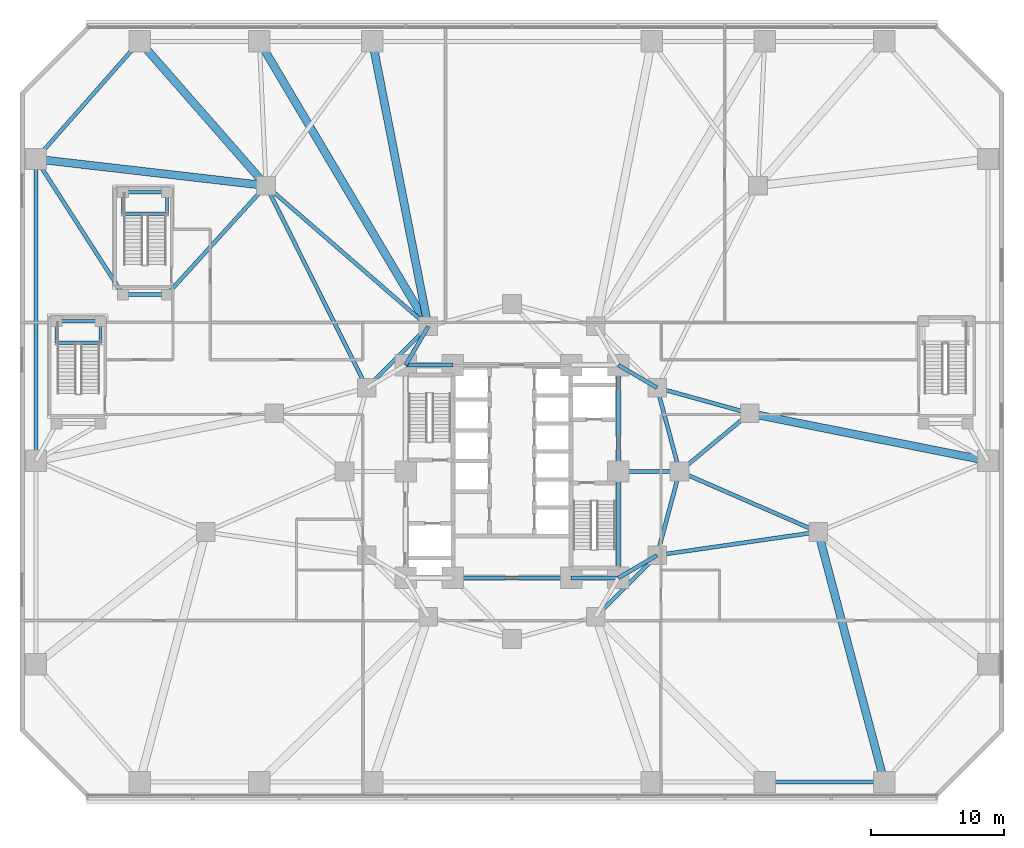
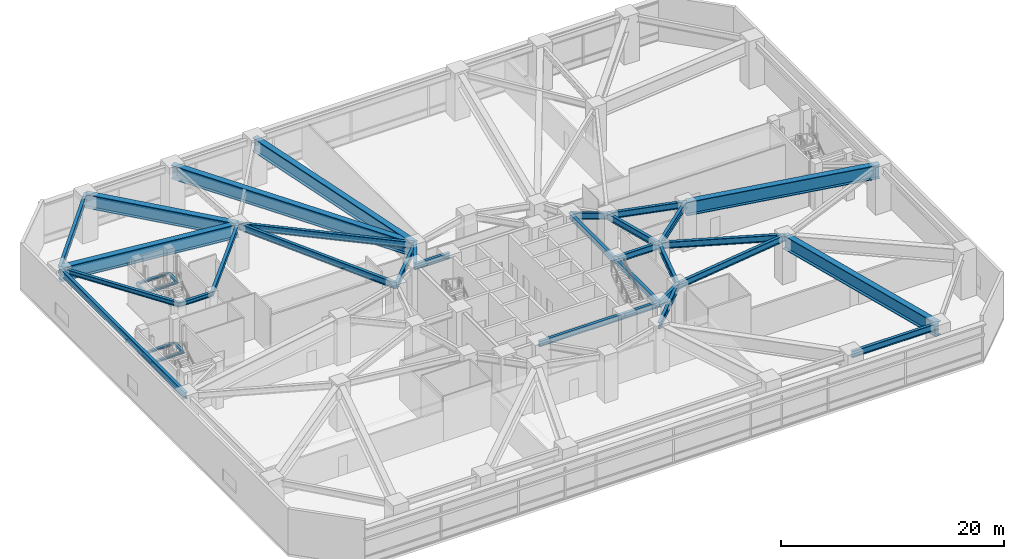
# One storey, part 8 of 27: 39 beams.
"""IFC4 building model written with IfcOpenShell, lengths in metres."""

from ifc_helpers import new_model, si_unit, direction, frame, origin, origin_2d, place, context, subcontext, project, spatial, i_section, extrude, material, material_profile, profile_set, type_object, element, save


model = new_model("IFC4")

# Units and contexts
model_context = context("Model", 3, precision=1e-05, world=origin(), true_north=direction((0.0, 1.0)))
body_context = subcontext(model_context, "Body", "Model", "MODEL_VIEW")
ifc_project = project(units=[si_unit("LENGTHUNIT", "METRE"), si_unit("AREAUNIT", "SQUARE_METRE"), si_unit("VOLUMEUNIT", "CUBIC_METRE"), si_unit("PLANEANGLEUNIT", "RADIAN"), si_unit("MASSUNIT", "GRAM", prefix="KILO")], contexts=[model_context])

# Site, building, storey
site_placement = place(None, origin())
site = spatial("IfcSite", under=ifc_project, at=site_placement, CompositionType="ELEMENT")
building_placement = place(site_placement, origin())
building = spatial("IfcBuilding", under=site, at=building_placement, Name="Terralouvre Media Tower", CompositionType="ELEMENT")
storey_placement = place(building_placement, frame((0.0, 0.0, 5.199951171875)))
storey = spatial("IfcBuildingStorey", under=building, at=storey_placement, Name="L01", CompositionType="ELEMENT", Elevation=5.199951171875)

# Beams
ifc_material_1 = material(Name="Structural steel S355J2", Category="steel")
ifc_material_profile_1 = material_profile(ifc_material_1, i_section(OverallWidth=0.239990234375, OverallDepth=0.239990234375, WebThickness=0.010009765625, FlangeThickness=0.01708984375, at=origin_2d()), Name="HEB 240")
ifc_profile_set_1 = profile_set([ifc_material_profile_1], Name="Structural steel S355J2")
beam_type_1 = type_object("IfcBeamType", Name="Opening Lintel Beam LN-240H (HEB 240)", PredefinedType="LINTEL", material=ifc_profile_set_1)
for number, where, z_axis, x_axis, name in (
    (1, (-34.25, 9.679931640625, 2.280029296875), (0.0, 1.0, 0.0), (-1.0, 0.0, 0.0), "L01 ST-03 Intermediate Landing Support Beam 1W"),
    (2, (-30.949951171875, 9.679931640625, 2.280029296875), (0.0, 1.0, 0.0), (-1.0, 0.0, 0.0), "L01 ST-03 Intermediate Landing Support Beam 1E"),
):
    element("IfcBeam", number, at=place(storey_placement, frame(where, z_axis=z_axis, x_axis=x_axis)), inside=storey, type_object=beam_type_1, Name=name, PredefinedType="LINTEL", context=body_context, shape_type="SweptSolid", body=[
        extrude(i_section(OverallWidth=0.239990234375, OverallDepth=0.239990234375, WebThickness=0.010009765625, FlangeThickness=0.01708984375, at=origin_2d()), origin(), (0.0, 0.0, 1.0), 1.6201171875),
    ])
for number, where, z_axis, x_axis, name in (
    (3, (-34.25, 9.679931640625, 2.280029296875), (1.0, 0.0, 0.0), (0.0, 1.0, 0.0), "L01 ST-03 Intermediate Landing Support Beam 1S"),
    (4, (-34.25, 11.300048828125, 2.280029296875), (1.0, 0.0, 0.0), (0.0, 1.0, 0.0), "L01 ST-03 Intermediate Landing Support Beam 1X"),
):
    element("IfcBeam", number, at=place(storey_placement, frame(where, z_axis=z_axis, x_axis=x_axis)), inside=storey, type_object=beam_type_1, Name=name, PredefinedType="LINTEL", context=body_context, shape_type="SweptSolid", body=[
        extrude(i_section(OverallWidth=0.239990234375, OverallDepth=0.239990234375, WebThickness=0.010009765625, FlangeThickness=0.01708984375, at=origin_2d()), origin(), (0.0, 0.0, 1.0), 3.300048828125),
    ])
for number, where, z_axis, x_axis, name in (
    (5, (-29.25, 19.3798828125, 2.280029296875), (0.0, 1.0, 0.0), (-1.0, 0.0, 0.0), "L01 ST-06 Intermediate Landing Support Beam 1W"),
    (6, (-25.949951171875, 19.3798828125, 2.280029296875), (0.0, 1.0, 0.0), (-1.0, 0.0, 0.0), "L01 ST-06 Intermediate Landing Support Beam 1E"),
):
    element("IfcBeam", number, at=place(storey_placement, frame(where, z_axis=z_axis, x_axis=x_axis)), inside=storey, type_object=beam_type_1, Name=name, PredefinedType="LINTEL", context=body_context, shape_type="SweptSolid", body=[
        extrude(i_section(OverallWidth=0.239990234375, OverallDepth=0.239990234375, WebThickness=0.010009765625, FlangeThickness=0.01708984375, at=origin_2d()), origin(), (0.0, 0.0, 1.0), 1.6201171875),
    ])
for number, where, z_axis, x_axis, name in (
    (7, (-29.25, 19.3798828125, 2.280029296875), (1.0, 0.0, 0.0), (0.0, 1.0, 0.0), "L01 ST-06 Intermediate Landing Support Beam 1S"),
    (8, (-29.25, 21.0, 2.280029296875), (1.0, 0.0, 0.0), (0.0, 1.0, 0.0), "L01 ST-06 Intermediate Landing Support Beam 1X"),
):
    element("IfcBeam", number, at=place(storey_placement, frame(where, z_axis=z_axis, x_axis=x_axis)), inside=storey, type_object=beam_type_1, Name=name, PredefinedType="LINTEL", context=body_context, shape_type="SweptSolid", body=[
        extrude(i_section(OverallWidth=0.239990234375, OverallDepth=0.239990234375, WebThickness=0.010009765625, FlangeThickness=0.01708984375, at=origin_2d()), origin(), (0.0, 0.0, 1.0), 3.300048828125),
    ])
ifc_material_2 = material(Name="Structural steel S355J2", Category="steel")
ifc_material_profile_2 = material_profile(ifc_material_2, i_section(OverallWidth=0.300048828125, OverallDepth=0.449951171875, WebThickness=0.013916015625, FlangeThickness=0.02587890625, at=origin_2d()), Name="HEB 450")
ifc_profile_set_2 = profile_set([ifc_material_profile_2], Name="Structural steel S355J2")
beam_type_2 = type_object("IfcBeamType", Name="Primary Floor Girder B-HEB450 (HEB 450)", PredefinedType="BEAM", material=ifc_profile_set_2)
beam_1_placement = place(storey_placement, frame((-29.25, 13.300048828125, 4.72509765625), z_axis=(1.0, 0.0, 0.0), x_axis=(0.0, 1.0, 0.0)))
element("IfcBeam", 9, at=beam_1_placement, inside=storey, type_object=beam_type_2, Name="L01 Framing Beam BM-L01-PVST61", PredefinedType="BEAM", context=body_context, shape_type="SweptSolid", body=[
    extrude(i_section(OverallWidth=0.300048828125, OverallDepth=0.449951171875, WebThickness=0.013916015625, FlangeThickness=0.02587890625, at=origin_2d()), origin(), (0.0, 0.0, 1.0), 3.300048828125),
])
ifc_material_3 = material(Name="Structural steel S355J2", Category="steel")
ifc_material_profile_3 = material_profile(ifc_material_3, i_section(OverallWidth=0.300048828125, OverallDepth=0.5, WebThickness=0.014404296875, FlangeThickness=0.028076171875, at=origin_2d()), Name="HEB 500")
ifc_profile_set_3 = profile_set([ifc_material_profile_3], Name="Structural steel S355J2")
beam_type_3 = type_object("IfcBeamType", Name="Primary Floor Girder B-HEB500 (HEB 500)", PredefinedType="BEAM", material=ifc_profile_set_3)
beam_2_placement = place(storey_placement, frame((-29.25, 13.300048828125, 4.699951171875), z_axis=(-0.540345267359, 0.841443398003, 0.0), x_axis=(-0.841443398003, -0.540345267359, 0.0)))
element("IfcBeam", 10, at=beam_2_placement, inside=storey, type_object=beam_type_3, Name="L01 Framing Beam BM-L01-PVTST61", PredefinedType="BEAM", context=body_context, shape_type="SweptSolid", body=[
    extrude(i_section(OverallWidth=0.300048828125, OverallDepth=0.5, WebThickness=0.014404296875, FlangeThickness=0.028076171875, at=origin_2d()), origin(), (0.0, 0.0, 1.0), 12.1220703125),
])
beam_3_placement = place(storey_placement, frame((-25.949951171875, 13.300048828125, 4.699951171875), z_axis=(0.672447909493, 0.740144451454, 0.0), x_axis=(-0.740144451454, 0.672447909493, 0.0)))
element("IfcBeam", 11, at=beam_3_placement, inside=storey, type_object=beam_type_3, Name="L01 Framing Beam BM-L01-PVTST62", PredefinedType="BEAM", context=body_context, shape_type="SweptSolid", body=[
    extrude(i_section(OverallWidth=0.300048828125, OverallDepth=0.5, WebThickness=0.014404296875, FlangeThickness=0.028076171875, at=origin_2d()), origin(), (0.0, 0.0, 1.0), 11.078857421875),
])
ifc_material_4 = material(Name="Structural steel S460M", Category="steel")
ifc_material_profile_4 = material_profile(ifc_material_4, i_section(OverallWidth=0.300048828125, OverallDepth=0.60009765625, WebThickness=0.015380859375, FlangeThickness=0.030029296875, at=origin_2d()), Name="HEB 600")
ifc_profile_set_4 = profile_set([ifc_material_profile_4], Name="Structural steel S460M")
beam_type_4 = type_object("IfcBeamType", Name="Primary Floor Girder B-HEB600 (HEB 600)", PredefinedType="BEAM", material=ifc_profile_set_4)
beam_4_placement = place(storey_placement, frame((-4.449951171875, -8.0, 4.650146484375), z_axis=(1.0, 0.0, 0.0), x_axis=(0.0, 1.0, 0.0)))
element("IfcBeam", 12, at=beam_4_placement, inside=storey, type_object=beam_type_4, Name="L01 Framing Beam BM-L01-CPR02", PredefinedType="BEAM", context=body_context, shape_type="SweptSolid", body=[
    extrude(i_section(OverallWidth=0.300048828125, OverallDepth=0.60009765625, WebThickness=0.015380859375, FlangeThickness=0.030029296875, at=origin_2d()), origin(), (0.0, 0.0, 1.0), 8.89990234375),
])
beam_5_placement = place(storey_placement, frame((4.449951171875, -8.0, 4.650146484375), z_axis=(1.0, 0.0, 0.0), x_axis=(0.0, 1.0, 0.0)))
element("IfcBeam", 13, at=beam_5_placement, inside=storey, type_object=beam_type_4, Name="L01 Framing Beam BM-L01-CPR03", PredefinedType="BEAM", context=body_context, shape_type="SweptSolid", body=[
    extrude(i_section(OverallWidth=0.300048828125, OverallDepth=0.60009765625, WebThickness=0.015380859375, FlangeThickness=0.030029296875, at=origin_2d()), origin(), (0.0, 0.0, 1.0), 3.550048828125),
])
for number, where, z_axis, x_axis, name in (
    (14, (8.0, -8.0, 4.650146484375), (0.0, 1.0, 0.0), (-1.0, 0.0, 0.0), "L01 Framing Beam BM-L01-CPR04"),
    (15, (8.0, 0.0, 4.650146484375), (0.0, 1.0, 0.0), (-1.0, 0.0, 0.0), "L01 Framing Beam BM-L01-CPR05"),
):
    element("IfcBeam", number, at=place(storey_placement, frame(where, z_axis=z_axis, x_axis=x_axis)), inside=storey, type_object=beam_type_4, Name=name, PredefinedType="BEAM", context=body_context, shape_type="SweptSolid", body=[
        extrude(i_section(OverallWidth=0.300048828125, OverallDepth=0.60009765625, WebThickness=0.015380859375, FlangeThickness=0.030029296875, at=origin_2d()), origin(), (0.0, 0.0, 1.0), 8.0),
    ])
beam_6_placement = place(storey_placement, frame((-4.449951171875, 8.0, 4.650146484375), z_axis=(-1.0, 0.0, 0.0), x_axis=(0.0, -1.0, 0.0)))
element("IfcBeam", 16, at=beam_6_placement, inside=storey, type_object=beam_type_4, Name="L01 Framing Beam BM-L01-CPR08", PredefinedType="BEAM", context=body_context, shape_type="SweptSolid", body=[
    extrude(i_section(OverallWidth=0.300048828125, OverallDepth=0.60009765625, WebThickness=0.015380859375, FlangeThickness=0.030029296875, at=origin_2d()), origin(), (0.0, 0.0, 1.0), 3.550048828125),
])
ifc_material_5 = material(Name="Structural steel S460M", Category="steel")
ifc_material_profile_5 = material_profile(ifc_material_5, i_section(OverallWidth=0.300048828125, OverallDepth=0.699951171875, WebThickness=0.01708984375, FlangeThickness=0.031982421875, at=origin_2d()), Name="HEB 700")
ifc_profile_set_5 = profile_set([ifc_material_profile_5], Name="Structural steel S460M")
beam_type_5 = type_object("IfcBeamType", Name="Primary Floor Girder B-HEB700 (HEB 700)", PredefinedType="BEAM", material=ifc_profile_set_5)
beam_7_placement = place(storey_placement, frame((6.300048828125, -10.911865234375, 4.60009765625), z_axis=(0.707106781187, 0.707106781187, 0.0), x_axis=(-0.707106781187, 0.707106781187, 0.0)))
element("IfcBeam", 17, at=beam_7_placement, inside=storey, type_object=beam_type_5, Name="L01 Framing Beam BM-L01-MR04", PredefinedType="BEAM", context=body_context, shape_type="SweptSolid", body=[
    extrude(i_section(OverallWidth=0.300048828125, OverallDepth=0.699951171875, WebThickness=0.01708984375, FlangeThickness=0.031982421875, at=origin_2d()), origin(), (0.0, 0.0, 1.0), 6.52197265625),
])
for number, where, z_axis, x_axis, name in (
    (18, (10.911865234375, -6.300048828125, 4.60009765625), (0.258838989821, 0.965920481897, 0.0), (-0.965920481897, 0.258838989821, 0.0), "L01 Framing Beam BM-L01-MR05"),
    (19, (12.60009765625, 0.0, 4.60009765625), (-0.258838989821, 0.965920481897, 0.0), (-0.965920481897, -0.258838989821, 0.0), "L01 Framing Beam BM-L01-MR06"),
):
    element("IfcBeam", number, at=place(storey_placement, frame(where, z_axis=z_axis, x_axis=x_axis)), inside=storey, type_object=beam_type_5, Name=name, PredefinedType="BEAM", context=body_context, shape_type="SweptSolid", body=[
        extrude(i_section(OverallWidth=0.300048828125, OverallDepth=0.699951171875, WebThickness=0.01708984375, FlangeThickness=0.031982421875, at=origin_2d()), origin(), (0.0, 0.0, 1.0), 6.522216796875),
    ])
beam_8_placement = place(storey_placement, frame((-6.300048828125, 10.911865234375, 4.60009765625), z_axis=(-0.707106781187, -0.707106781187, 0.0), x_axis=(0.707106781187, -0.707106781187, 0.0)))
element("IfcBeam", 20, at=beam_8_placement, inside=storey, type_object=beam_type_5, Name="L01 Framing Beam BM-L01-MR10", PredefinedType="BEAM", context=body_context, shape_type="SweptSolid", body=[
    extrude(i_section(OverallWidth=0.300048828125, OverallDepth=0.699951171875, WebThickness=0.01708984375, FlangeThickness=0.031982421875, at=origin_2d()), origin(), (0.0, 0.0, 1.0), 6.52197265625),
])
beam_9_placement = place(storey_placement, frame((8.0, -8.0, 4.60009765625), z_axis=(0.863602894532, 0.504172629717, 0.0), x_axis=(-0.504172629717, 0.863602894532, 0.0)))
element("IfcBeam", 21, at=beam_9_placement, inside=storey, type_object=beam_type_5, Name="L01 Framing Beam BM-L01-CM05", PredefinedType="BEAM", context=body_context, shape_type="SweptSolid", body=[
    extrude(i_section(OverallWidth=0.300048828125, OverallDepth=0.699951171875, WebThickness=0.01708984375, FlangeThickness=0.031982421875, at=origin_2d()), origin(), (0.0, 0.0, 1.0), 3.371826171875),
])
beam_10_placement = place(storey_placement, frame((8.0, 0.0, 4.60009765625), z_axis=(1.0, 0.0, 0.0), x_axis=(0.0, 1.0, 0.0)))
element("IfcBeam", 22, at=beam_10_placement, inside=storey, type_object=beam_type_5, Name="L01 Framing Beam BM-L01-CM06", PredefinedType="BEAM", context=body_context, shape_type="SweptSolid", body=[
    extrude(i_section(OverallWidth=0.300048828125, OverallDepth=0.699951171875, WebThickness=0.01708984375, FlangeThickness=0.031982421875, at=origin_2d()), origin(), (0.0, 0.0, 1.0), 4.60009765625),
])
for number, where, z_axis, x_axis, name in (
    (23, (8.0, 8.0, 4.60009765625), (0.863602894532, -0.504172629717, 0.0), (0.504172629717, 0.863602894532, 0.0), "L01 Framing Beam BM-L01-CM07"),
    (24, (-8.0, 8.0, 4.60009765625), (0.504172629717, 0.863602894532, 0.0), (-0.863602894532, 0.504172629717, 0.0), "L01 Framing Beam BM-L01-CM10"),
):
    element("IfcBeam", number, at=place(storey_placement, frame(where, z_axis=z_axis, x_axis=x_axis)), inside=storey, type_object=beam_type_5, Name=name, PredefinedType="BEAM", context=body_context, shape_type="SweptSolid", body=[
        extrude(i_section(OverallWidth=0.300048828125, OverallDepth=0.699951171875, WebThickness=0.01708984375, FlangeThickness=0.031982421875, at=origin_2d()), origin(), (0.0, 0.0, 1.0), 3.371826171875),
    ])
beam_11_placement = place(storey_placement, frame((-6.300048828125, 10.911865234375, 4.60009765625), z_axis=(-0.755234116228, 0.65545513171, 0.0), x_axis=(-0.65545513171, -0.755234116228, 0.0)))
element("IfcBeam", 25, at=beam_11_placement, inside=storey, type_object=beam_type_5, Name="L01 Framing Beam BM-L01-PM19M1", PredefinedType="BEAM", context=body_context, shape_type="SweptSolid", body=[
    extrude(i_section(OverallWidth=0.300048828125, OverallDepth=0.699951171875, WebThickness=0.01708984375, FlangeThickness=0.031982421875, at=origin_2d()), origin(), (0.0, 0.0, 1.0), 16.15380859375),
])
beam_12_placement = place(storey_placement, frame((-10.911865234375, 6.300048828125, 4.60009765625), z_axis=(-0.446655925193, 0.894705808906, 0.0), x_axis=(-0.894705808906, -0.446655925193, 0.0)))
element("IfcBeam", 26, at=beam_12_placement, inside=storey, type_object=beam_type_5, Name="L01 Framing Beam BM-L01-PM19M2", PredefinedType="BEAM", context=body_context, shape_type="SweptSolid", body=[
    extrude(i_section(OverallWidth=0.300048828125, OverallDepth=0.699951171875, WebThickness=0.01708984375, FlangeThickness=0.031982421875, at=origin_2d()), origin(), (0.0, 0.0, 1.0), 16.98876953125),
])
beam_13_placement = place(storey_placement, frame((12.60009765625, 0.0, 4.60009765625), z_axis=(0.916615903868, -0.399769039291, 0.0), x_axis=(0.399769039291, 0.916615903868, 0.0)))
element("IfcBeam", 27, at=beam_13_placement, inside=storey, type_object=beam_type_5, Name="L01 Framing Beam BM-L01-PM21M1", PredefinedType="BEAM", context=body_context, shape_type="SweptSolid", body=[
    extrude(i_section(OverallWidth=0.300048828125, OverallDepth=0.699951171875, WebThickness=0.01708984375, FlangeThickness=0.031982421875, at=origin_2d()), origin(), (0.0, 0.0, 1.0), 11.373046875),
])
beam_14_placement = place(storey_placement, frame((10.911865234375, -6.300048828125, 4.60009765625), z_axis=(0.989684877742, 0.143261448996, 0.0), x_axis=(-0.143261448996, 0.989684877742, 0.0)))
element("IfcBeam", 28, at=beam_14_placement, inside=storey, type_object=beam_type_5, Name="L01 Framing Beam BM-L01-PM21M2", PredefinedType="BEAM", context=body_context, shape_type="SweptSolid", body=[
    extrude(i_section(OverallWidth=0.300048828125, OverallDepth=0.699951171875, WebThickness=0.01708984375, FlangeThickness=0.031982421875, at=origin_2d()), origin(), (0.0, 0.0, 1.0), 12.2392578125),
])
beam_15_placement = place(storey_placement, frame((12.60009765625, 0.0, 4.60009765625), z_axis=(0.769816459478, 0.638265320001, 0.0), x_axis=(-0.638265320001, 0.769816459478, 0.0)))
element("IfcBeam", 29, at=beam_15_placement, inside=storey, type_object=beam_type_5, Name="L01 Framing Beam BM-L01-PM22M1", PredefinedType="BEAM", context=body_context, shape_type="SweptSolid", body=[
    extrude(i_section(OverallWidth=0.300048828125, OverallDepth=0.699951171875, WebThickness=0.01708984375, FlangeThickness=0.031982421875, at=origin_2d()), origin(), (0.0, 0.0, 1.0), 6.851806640625),
])
beam_16_placement = place(storey_placement, frame((10.911865234375, 6.300048828125, 4.60009765625), z_axis=(0.963780816717, -0.266695589254, 0.0), x_axis=(0.266695589254, 0.963780816717, 0.0)))
element("IfcBeam", 30, at=beam_16_placement, inside=storey, type_object=beam_type_5, Name="L01 Framing Beam BM-L01-PM22M2", PredefinedType="BEAM", context=body_context, shape_type="SweptSolid", body=[
    extrude(i_section(OverallWidth=0.300048828125, OverallDepth=0.699951171875, WebThickness=0.01708984375, FlangeThickness=0.031982421875, at=origin_2d()), origin(), (0.0, 0.0, 1.0), 7.224609375),
])
beam_17_placement = place(storey_placement, frame((19.0, -23.35009765625, 4.60009765625), z_axis=(1.0, 0.0, 0.0), x_axis=(0.0, 1.0, 0.0)))
element("IfcBeam", 31, at=beam_17_placement, inside=storey, type_object=beam_type_5, Name="L01 Framing Beam BM-L01-PR06", PredefinedType="BEAM", context=body_context, shape_type="SweptSolid", body=[
    extrude(i_section(OverallWidth=0.300048828125, OverallDepth=0.699951171875, WebThickness=0.01708984375, FlangeThickness=0.031982421875, at=origin_2d()), origin(), (0.0, 0.0, 1.0), 9.0),
])
beam_18_placement = place(storey_placement, frame((-28.0, 32.35009765625, 4.60009765625), z_axis=(-0.661199207896, -0.75021037548, 0.0), x_axis=(0.75021037548, -0.661199207896, 0.0)))
element("IfcBeam", 32, at=beam_18_placement, inside=storey, type_object=beam_type_5, Name="L01 Framing Beam BM-L01-PR16", PredefinedType="BEAM", context=body_context, shape_type="SweptSolid", body=[
    extrude(i_section(OverallWidth=0.300048828125, OverallDepth=0.699951171875, WebThickness=0.01708984375, FlangeThickness=0.031982421875, at=origin_2d()), origin(), (0.0, 0.0, 1.0), 11.796875),
])
beam_19_placement = place(storey_placement, frame((-35.800048828125, 23.5, 4.60009765625), z_axis=(0.0, -1.0, 0.0), x_axis=(1.0, 0.0, 0.0)))
element("IfcBeam", 33, at=beam_19_placement, inside=storey, type_object=beam_type_5, Name="L01 Framing Beam BM-L01-PR17", PredefinedType="BEAM", context=body_context, shape_type="SweptSolid", body=[
    extrude(i_section(OverallWidth=0.300048828125, OverallDepth=0.699951171875, WebThickness=0.01708984375, FlangeThickness=0.031982421875, at=origin_2d()), origin(), (0.0, 0.0, 1.0), 22.699951171875),
])
ifc_material_6 = material(Name="Structural steel S460M", Category="steel")
ifc_material_profile_6 = material_profile(ifc_material_6, i_section(OverallWidth=0.60009765625, OverallDepth=1.5, WebThickness=0.033935546875, FlangeThickness=0.054931640625, at=origin_2d()), Name="PG 1500x600")
ifc_profile_set_6 = profile_set([ifc_material_profile_6], Name="Structural steel S460M")
beam_type_6 = type_object("IfcBeamType", Name="Primary Floor Girder B-PG1500 (PG 1500x600)", PredefinedType="BEAM", material=ifc_profile_set_6)
beam_20_placement = place(storey_placement, frame((23.02490234375, -4.546630859375, 4.199951171875), z_axis=(0.25578250381, -0.966734353762, 0.0), x_axis=(0.966734353762, 0.25578250381, 0.0)))
element("IfcBeam", 34, at=beam_20_placement, inside=storey, type_object=beam_type_6, Name="L01 Framing Beam BM-L01-RD07", PredefinedType="BEAM", context=body_context, shape_type="SweptSolid", body=[
    extrude(i_section(OverallWidth=0.60009765625, OverallDepth=1.5, WebThickness=0.033935546875, FlangeThickness=0.054931640625, at=origin_2d()), origin(), (0.0, 0.0, 1.0), 19.450439453125),
])
beam_21_placement = place(storey_placement, frame((17.874755859375, 4.373291015625, 4.199951171875), z_axis=(0.980704802412, -0.19549447697, 0.0), x_axis=(0.19549447697, 0.980704802412, 0.0)))
element("IfcBeam", 35, at=beam_21_placement, inside=storey, type_object=beam_type_6, Name="L01 Framing Beam BM-L01-RD09", PredefinedType="BEAM", context=body_context, shape_type="SweptSolid", body=[
    extrude(i_section(OverallWidth=0.60009765625, OverallDepth=1.5, WebThickness=0.033935546875, FlangeThickness=0.054931640625, at=origin_2d()), origin(), (0.0, 0.0, 1.0), 18.278076171875),
])
beam_22_placement = place(storey_placement, frame((-6.300048828125, 10.911865234375, 4.199951171875), z_axis=(-0.192254717948, 0.981345058288, 0.0), x_axis=(-0.981345058288, -0.192254717948, 0.0)))
element("IfcBeam", 36, at=beam_22_placement, inside=storey, type_object=beam_type_6, Name="L01 Framing Beam BM-L01-RD14", PredefinedType="BEAM", context=body_context, shape_type="SweptSolid", body=[
    extrude(i_section(OverallWidth=0.60009765625, OverallDepth=1.5, WebThickness=0.033935546875, FlangeThickness=0.054931640625, at=origin_2d()), origin(), (0.0, 0.0, 1.0), 21.845703125),
])
beam_23_placement = place(storey_placement, frame((-6.300048828125, 10.911865234375, 4.199951171875), z_axis=(-0.509678035934, 0.860365212969, 0.0), x_axis=(-0.860365212969, -0.509678035934, 0.0)))
element("IfcBeam", 37, at=beam_23_placement, inside=storey, type_object=beam_type_6, Name="L01 Framing Beam BM-L01-RD15", PredefinedType="BEAM", context=body_context, shape_type="SweptSolid", body=[
    extrude(i_section(OverallWidth=0.60009765625, OverallDepth=1.5, WebThickness=0.033935546875, FlangeThickness=0.054931640625, at=origin_2d()), origin(), (0.0, 0.0, 1.0), 24.91748046875),
])
beam_24_placement = place(storey_placement, frame((-18.5, 21.5, 4.199951171875), z_axis=(-0.658746675471, 0.752364816799, 0.0), x_axis=(-0.752364816799, -0.658746675471, 0.0)))
element("IfcBeam", 38, at=beam_24_placement, inside=storey, type_object=beam_type_6, Name="L01 Framing Beam BM-L01-RD16", PredefinedType="BEAM", context=body_context, shape_type="SweptSolid", body=[
    extrude(i_section(OverallWidth=0.60009765625, OverallDepth=1.5, WebThickness=0.033935546875, FlangeThickness=0.054931640625, at=origin_2d()), origin(), (0.0, 0.0, 1.0), 14.42138671875),
])
beam_25_placement = place(storey_placement, frame((-18.5, 21.5, 4.199951171875), z_axis=(-0.993383801046, 0.114841733791, 0.0), x_axis=(-0.114841733791, -0.993383801046, 0.0)))
element("IfcBeam", 39, at=beam_25_placement, inside=storey, type_object=beam_type_6, Name="L01 Framing Beam BM-L01-RD17", PredefinedType="BEAM", context=body_context, shape_type="SweptSolid", body=[
    extrude(i_section(OverallWidth=0.60009765625, OverallDepth=1.5, WebThickness=0.033935546875, FlangeThickness=0.054931640625, at=origin_2d()), origin(), (0.0, 0.0, 1.0), 17.415283203125),
])

save(model, "model.ifc")
